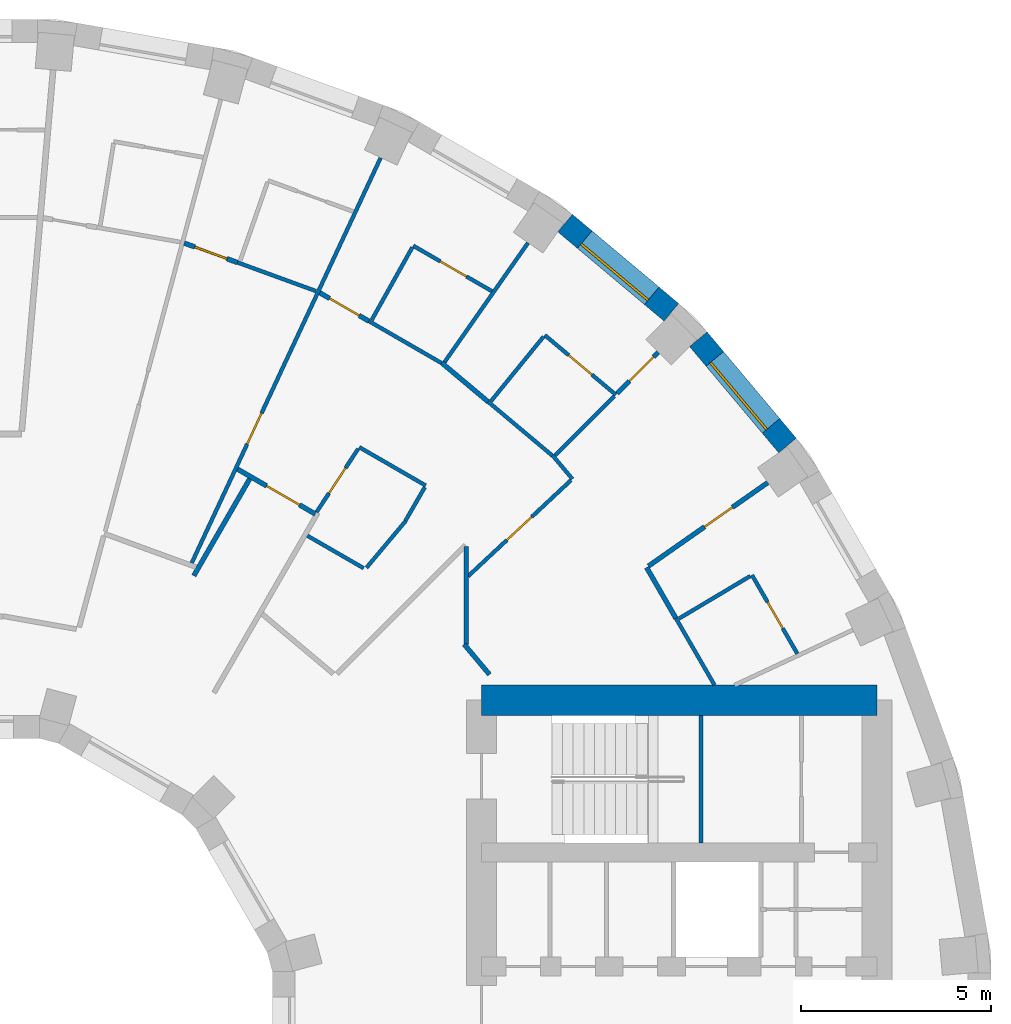
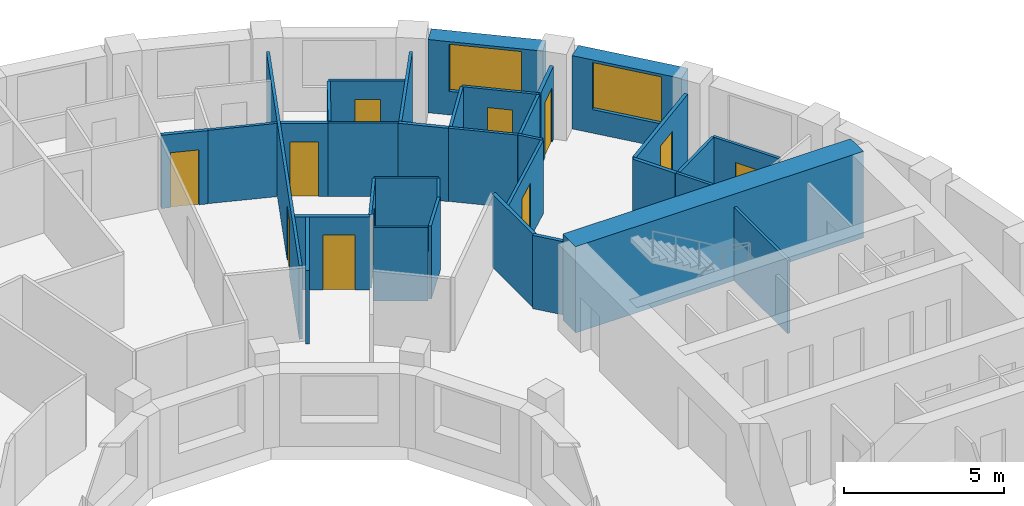
# One storey, part 13 of 16: 34 walls, 11 doors, 2 windows, 13 openings.
"""IFC4 building model written with IfcOpenShell, lengths in metres."""

from ifc_helpers import new_model, si_unit, direction, frame, frame_2d, origin, place, context, subcontext, project, spatial, rectangle, extrude, material, layer, layer_set, type_object, element, fill, save


model = new_model("IFC4")

# Units and contexts
model_context = context("Model", 3, precision=1e-05, world=origin(), true_north=direction((0.0, 1.0)))
body_context = subcontext(model_context, "Body", "Model", "MODEL_VIEW")
ifc_project = project(units=[si_unit("LENGTHUNIT", "METRE"), si_unit("AREAUNIT", "SQUARE_METRE"), si_unit("VOLUMEUNIT", "CUBIC_METRE"), si_unit("PLANEANGLEUNIT", "RADIAN"), si_unit("MASSUNIT", "GRAM", prefix="KILO")], contexts=[model_context])

# Site, building, storey
site_placement = place(None, origin())
site = spatial("IfcSite", under=ifc_project, at=site_placement, CompositionType="ELEMENT")
building_placement = place(site_placement, origin())
building = spatial("IfcBuilding", under=site, at=building_placement, Name="Saqina Gate Tower", CompositionType="ELEMENT")
storey_placement = place(building_placement, frame((0.0, 0.0, 124.89990234375)))
storey = spatial("IfcBuildingStorey", under=building, at=storey_placement, Name="L35", CompositionType="ELEMENT", Elevation=124.89990234375)

# Wall, opening, window
ifc_material_1 = material(Name="Brick masonry (buff)", Category="masonry")
ifc_layer_1 = layer(ifc_material_1, 0.60009765625)
ifc_layer_set_1 = layer_set([ifc_layer_1], Name="FW-BRICK-BUFF")
wall_type_1 = type_object("IfcWallType", Name="FW-BRICK-BUFF", PredefinedType="SOLIDWALL", material=ifc_layer_set_1)
wall_1_placement = place(storey_placement, frame((21.547119140625, 15.69921875, 0.0), z_axis=(0.0, 0.0, 1.0), x_axis=(-0.642774476932, 0.766055462616, 0.0)))
wall_1 = element("IfcWall", 1, at=wall_1_placement, inside=storey, type_object=wall_type_1, Name="Facade wall L35 facet 4", PredefinedType="SOLIDWALL", context=body_context, shape_type="SweptSolid", body=[
    extrude(rectangle(XDim=3.647705078125, YDim=0.60009765625, at=frame_2d((1.82373046875, 0.0))), origin(), (0.0, 0.0, 1.0), 2.800048828125),
])
opening_1_placement = place(wall_1_placement, frame((0.673828125, 0.0, 0.89990234375)))
opening_1 = element("IfcOpeningElement", 2, at=opening_1_placement, cuts=wall_1, Name="Opening G10-W02", PredefinedType="OPENING", context=body_context, shape_type="SweptSolid", body=[
    extrude(rectangle(XDim=2.300048828125, YDim=1.800048828125, at=frame_2d((1.14990234375, 0.89990234375))), frame((0.0, 0.31201171875, 0.0), z_axis=(0.0, -1.0, 0.0), x_axis=(1.0, 0.0, 0.0)), (0.0, 0.0, 1.0), 0.6240234375),
])
ifc_material_2 = material(Name="Aluminium glazing", Category="aluminium")
window_type = type_object("IfcWindowType", Name="WN-B", PartitioningType="SINGLE_PANEL", PredefinedType="WINDOW", material=ifc_material_2)
window_1_placement = place(opening_1_placement, origin())
window_1 = element("IfcWindow", 3, at=window_1_placement, inside=storey, type_object=window_type, Name="Window L35 facet 4", OverallHeight=1.800048828125, OverallWidth=2.300048828125, PartitioningType="SINGLE_PANEL", PredefinedType="WINDOW", context=body_context, shape_type="SweptSolid", body=[
    extrude(rectangle(XDim=2.300048828125, YDim=1.800048828125, at=frame_2d((1.14990234375, 0.89990234375))), frame((0.0, 0.179931640625, 0.0), z_axis=(0.0, -1.0, 0.0), x_axis=(1.0, 0.0, 0.0)), (0.0, 0.0, 1.0), 0.06005859375),
])
fill(opening_1, window_1)

wall_2_placement = place(storey_placement, frame((18.49365234375, 19.202392578125, 0.0), z_axis=(0.0, 0.0, 1.0), x_axis=(-0.766055462616, 0.642774476932, 0.0)))
wall_2 = element("IfcWall", 4, at=wall_2_placement, inside=storey, type_object=wall_type_1, Name="Facade wall L35 facet 5", PredefinedType="SOLIDWALL", context=body_context, shape_type="SweptSolid", body=[
    extrude(rectangle(XDim=3.647705078125, YDim=0.60009765625, at=frame_2d((1.82373046875, 0.0))), origin(), (0.0, 0.0, 1.0), 2.800048828125),
])
opening_2_placement = place(wall_2_placement, frame((0.673828125, 0.0, 0.89990234375)))
opening_2 = element("IfcOpeningElement", 5, at=opening_2_placement, cuts=wall_2, Name="Opening G10-W03", PredefinedType="OPENING", context=body_context, shape_type="SweptSolid", body=[
    extrude(rectangle(XDim=2.300048828125, YDim=1.800048828125, at=frame_2d((1.14990234375, 0.89990234375))), frame((0.0, 0.31201171875, 0.0), z_axis=(0.0, -1.0, 0.0), x_axis=(1.0, 0.0, 0.0)), (0.0, 0.0, 1.0), 0.6240234375),
])
window_2_placement = place(opening_2_placement, origin())
window_2 = element("IfcWindow", 6, at=window_2_placement, inside=storey, type_object=window_type, Name="Window L35 facet 5", OverallHeight=1.800048828125, OverallWidth=2.300048828125, PartitioningType="SINGLE_PANEL", PredefinedType="WINDOW", context=body_context, shape_type="SweptSolid", body=[
    extrude(rectangle(XDim=2.300048828125, YDim=1.800048828125, at=frame_2d((1.14990234375, 0.89990234375))), frame((0.0, 0.179931640625, 0.0), z_axis=(0.0, -1.0, 0.0), x_axis=(1.0, 0.0, 0.0)), (0.0, 0.0, 1.0), 0.06005859375),
])
fill(opening_2, window_2)

# Wall
ifc_material_3 = material(Name="Gypsum board on steel studs, 100 mm", Category="steel")
ifc_layer_2 = layer(ifc_material_3, 0.10009765625)
ifc_layer_set_2 = layer_set([ifc_layer_2], Name="PARTITION 100")
wall_type_2 = type_object("IfcWallType", Name="PARTITION 100", PredefinedType="PARTITIONING", material=ifc_layer_set_2)
wall_3_placement = place(storey_placement, frame((18.612060546875, 11.1572265625, 0.0), z_axis=(0.0, 0.0, 1.0), x_axis=(0.500111227227, -0.865961177191, 0.0)))
element("IfcWall", 7, at=wall_3_placement, inside=storey, type_object=wall_type_2, Name="PARTITION PW3-15", PredefinedType="PARTITIONING", context=body_context, shape_type="SweptSolid", body=[
    extrude(rectangle(XDim=2.029296875, YDim=0.10009765625, at=frame_2d((1.0146484375, 0.0))), origin(), (0.0, 0.0, 1.0), 2.800048828125),
])

# Wall, opening, door
wall_4_placement = place(storey_placement, frame((20.613037109375, 12.2919921875, 0.0), z_axis=(0.0, 0.0, 1.0), x_axis=(0.499855185972, -0.866108996061, 0.0)))
wall_4 = element("IfcWall", 8, at=wall_4_placement, inside=storey, type_object=wall_type_2, Name="PARTITION PW3-16", PredefinedType="PARTITIONING", context=body_context, shape_type="SweptSolid", body=[
    extrude(rectangle(XDim=2.388427734375, YDim=0.10009765625, at=frame_2d((1.1943359375, 0.0))), origin(), (0.0, 0.0, 1.0), 2.800048828125),
])
opening_3_placement = place(wall_4_placement, frame((0.8193359375, 0.0, 0.0)))
opening_3 = element("IfcOpeningElement", 9, at=opening_3_placement, cuts=wall_4, Name="Opening G10-D01", PredefinedType="OPENING", context=body_context, shape_type="SweptSolid", body=[
    extrude(rectangle(XDim=0.800048828125, YDim=2.10009765625, at=frame_2d((0.39990234375, 1.050048828125))), frame((0.0, 0.06201171875, 0.0), z_axis=(0.0, -1.0, 0.0), x_axis=(1.0, 0.0, 0.0)), (0.0, 0.0, 1.0), 0.1240234375),
])
ifc_material_4 = material(Name="Timber door leaf, 800 mm", Category="wood")
door_type_1 = type_object("IfcDoorType", Name="DOOR 800 TIMBER", OperationType="SINGLE_SWING_LEFT", PredefinedType="DOOR", material=ifc_material_4)
door_1_placement = place(opening_3_placement, origin())
door_1 = element("IfcDoor", 10, at=door_1_placement, inside=storey, type_object=door_type_1, Name="DOOR G10-D01", OperationType="SINGLE_SWING_RIGHT", OverallHeight=2.10009765625, OverallWidth=0.800048828125, PredefinedType="DOOR", context=body_context, shape_type="SweptSolid", body=[
    extrude(rectangle(XDim=0.800048828125, YDim=2.10009765625, at=frame_2d((0.39990234375, 1.050048828125))), frame((0.0, 0.02490234375, 0.0), z_axis=(0.0, -1.0, 0.0), x_axis=(1.0, 0.0, 0.0)), (0.0, 0.0, 1.0), 0.050048828125),
])
fill(opening_3, door_1)

# Walls
wall_5_placement = place(storey_placement, frame((15.368408203125, 15.43994140625, 0.0), z_axis=(0.0, 0.0, 1.0), x_axis=(0.643079214365, -0.765799663131, 0.0)))
element("IfcWall", 11, at=wall_5_placement, inside=storey, type_object=wall_type_2, Name="PARTITION PW3-22", PredefinedType="PARTITIONING", context=body_context, shape_type="SweptSolid", body=[
    extrude(rectangle(XDim=0.811767578125, YDim=0.10009765625, at=frame_2d((0.40576171875, 0.0))), origin(), (0.0, 0.0, 1.0), 2.800048828125),
])
wall_6_placement = place(storey_placement, frame((13.673583984375, 16.85009765625, 0.0), z_axis=(0.0, 0.0, 1.0), x_axis=(0.766138779905, -0.642675166725, 0.0)))
element("IfcWall", 12, at=wall_6_placement, inside=storey, type_object=wall_type_2, Name="PARTITION PW3-29", PredefinedType="PARTITIONING", context=body_context, shape_type="SweptSolid", body=[
    extrude(rectangle(XDim=2.204833984375, YDim=0.10009765625, at=frame_2d((1.1025390625, 0.0))), origin(), (0.0, 0.0, 1.0), 2.800048828125),
])

# Wall, opening, door
wall_7_placement = place(storey_placement, frame((15.1650390625, 18.60107421875, 0.0), z_axis=(0.0, 0.0, 1.0), x_axis=(0.765894146118, -0.642966684161, 0.0)))
wall_7 = element("IfcWall", 13, at=wall_7_placement, inside=storey, type_object=wall_type_2, Name="PARTITION PW3-30", PredefinedType="PARTITIONING", context=body_context, shape_type="SweptSolid", body=[
    extrude(rectangle(XDim=2.43896484375, YDim=0.10009765625, at=frame_2d((1.219482421875, 0.0))), origin(), (0.0, 0.0, 1.0), 2.800048828125),
])
opening_4_placement = place(wall_7_placement, frame((0.8193359375, 0.0, 0.0)))
opening_4 = element("IfcOpeningElement", 14, at=opening_4_placement, cuts=wall_7, Name="Opening G10-D05", PredefinedType="OPENING", context=body_context, shape_type="SweptSolid", body=[
    extrude(rectangle(XDim=0.800048828125, YDim=2.10009765625, at=frame_2d((0.39990234375, 1.050048828125))), frame((0.0, 0.06201171875, 0.0), z_axis=(0.0, -1.0, 0.0), x_axis=(1.0, 0.0, 0.0)), (0.0, 0.0, 1.0), 0.1240234375),
])
door_2_placement = place(opening_4_placement, origin())
door_2 = element("IfcDoor", 15, at=door_2_placement, inside=storey, type_object=door_type_1, Name="DOOR G10-D05", OperationType="SINGLE_SWING_LEFT", OverallHeight=2.10009765625, OverallWidth=0.800048828125, PredefinedType="DOOR", context=body_context, shape_type="SweptSolid", body=[
    extrude(rectangle(XDim=0.800048828125, YDim=2.10009765625, at=frame_2d((0.39990234375, 1.050048828125))), frame((0.0, 0.02490234375, 0.0), z_axis=(0.0, -1.0, 0.0), x_axis=(1.0, 0.0, 0.0)), (0.0, 0.0, 1.0), 0.050048828125),
])
fill(opening_4, door_2)

# Walls
wall_8_placement = place(storey_placement, frame((8.921142578125, 13.32666015625, 0.0), z_axis=(0.0, 0.0, 1.0), x_axis=(0.866168931404, -0.499751320429, 0.0)))
element("IfcWall", 16, at=wall_8_placement, inside=storey, type_object=wall_type_2, Name="PARTITION PW3-35", PredefinedType="PARTITIONING", context=body_context, shape_type="SweptSolid", body=[
    extrude(rectangle(XDim=1.708251953125, YDim=0.10009765625, at=frame_2d((0.85400390625, 0.0))), origin(), (0.0, 0.0, 1.0), 2.800048828125),
])
wall_9_placement = place(storey_placement, frame((10.285888671875, 15.655029296875, 0.0), z_axis=(0.0, 0.0, 1.0), x_axis=(0.865980246016, -0.500078207394, 0.0)))
element("IfcWall", 17, at=wall_9_placement, inside=storey, type_object=wall_type_2, Name="PARTITION PW3-36", PredefinedType="PARTITIONING", context=body_context, shape_type="SweptSolid", body=[
    extrude(rectangle(XDim=2.019775390625, YDim=0.10009765625, at=frame_2d((1.009765625, 0.0))), origin(), (0.0, 0.0, 1.0), 2.800048828125),
])
wall_10_placement = place(storey_placement, frame((10.539794921875, 18.968994140625, 0.0), z_axis=(0.0, 0.0, 1.0), x_axis=(0.866006764117, -0.500032283461, 0.0)))
element("IfcWall", 18, at=wall_10_placement, inside=storey, type_object=wall_type_2, Name="PARTITION PW3-37", PredefinedType="PARTITIONING", context=body_context, shape_type="SweptSolid", body=[
    extrude(rectangle(XDim=2.205322265625, YDim=0.10009765625, at=frame_2d((1.1025390625, 0.0))), origin(), (0.0, 0.0, 1.0), 2.800048828125),
])

# Wall, opening, door
wall_11_placement = place(storey_placement, frame((11.705078125, 20.951904296875, 0.0), z_axis=(0.0, 0.0, 1.0), x_axis=(0.865906392454, -0.500206077039, 0.0)))
wall_11 = element("IfcWall", 19, at=wall_11_placement, inside=storey, type_object=wall_type_2, Name="PARTITION PW3-38", PredefinedType="PARTITIONING", context=body_context, shape_type="SweptSolid", body=[
    extrude(rectangle(XDim=2.388671875, YDim=0.10009765625, at=frame_2d((1.1943359375, 0.0))), origin(), (0.0, 0.0, 1.0), 2.800048828125),
])
opening_5_placement = place(wall_11_placement, frame((0.819580078125, 0.0, 0.0)))
opening_5 = element("IfcOpeningElement", 20, at=opening_5_placement, cuts=wall_11, Name="Opening G10-D07", PredefinedType="OPENING", context=body_context, shape_type="SweptSolid", body=[
    extrude(rectangle(XDim=0.800048828125, YDim=2.10009765625, at=frame_2d((0.39990234375, 1.050048828125))), frame((0.0, 0.06201171875, 0.0), z_axis=(0.0, -1.0, 0.0), x_axis=(1.0, 0.0, 0.0)), (0.0, 0.0, 1.0), 0.1240234375),
])
door_3_placement = place(opening_5_placement, origin())
door_3 = element("IfcDoor", 21, at=door_3_placement, inside=storey, type_object=door_type_1, Name="DOOR G10-D07", OperationType="SINGLE_SWING_RIGHT", OverallHeight=2.10009765625, OverallWidth=0.800048828125, PredefinedType="DOOR", context=body_context, shape_type="SweptSolid", body=[
    extrude(rectangle(XDim=0.800048828125, YDim=2.10009765625, at=frame_2d((0.39990234375, 1.050048828125))), frame((0.0, 0.02490234375, 0.0), z_axis=(0.0, -1.0, 0.0), x_axis=(1.0, 0.0, 0.0)), (0.0, 0.0, 1.0), 0.050048828125),
])
fill(opening_5, door_3)

# Walls
wall_12_placement = place(storey_placement, frame((7.0859375, 20.510498046875, 0.0), z_axis=(0.0, 0.0, 1.0), x_axis=(0.939734879809, -0.341904015289, 0.0)))
element("IfcWall", 22, at=wall_12_placement, inside=storey, type_object=wall_type_2, Name="PARTITION PW3-43", PredefinedType="PARTITIONING", context=body_context, shape_type="SweptSolid", body=[
    extrude(rectangle(XDim=2.192138671875, YDim=0.10009765625, at=frame_2d((1.09619140625, 0.0))), origin(), (0.0, 0.0, 1.0), 2.800048828125),
])
wall_13_placement = place(storey_placement, frame((18.690673828125, 11.14599609375, 0.0), z_axis=(0.0, 0.0, 1.0), x_axis=(0.858956412084, 0.512048710711, 0.0)))
element("IfcWall", 23, at=wall_13_placement, inside=storey, type_object=wall_type_2, Name="PARTITION PW3-75", PredefinedType="PARTITIONING", context=body_context, shape_type="SweptSolid", body=[
    extrude(rectangle(XDim=2.18798828125, YDim=0.10009765625, at=frame_2d((1.093994140625, 0.0))), origin(), (0.0, 0.0, 1.0), 2.800048828125),
])

# Wall, opening, door
wall_14_placement = place(storey_placement, frame((13.145751953125, 12.258544921875, 0.0), z_axis=(0.0, 0.0, 1.0), x_axis=(0.731186864942, 0.682177226633, 0.0)))
wall_14 = element("IfcWall", 24, at=wall_14_placement, inside=storey, type_object=wall_type_2, Name="PARTITION PW3-81", PredefinedType="PARTITIONING", context=body_context, shape_type="SweptSolid", body=[
    extrude(rectangle(XDim=3.701171875, YDim=0.10009765625, at=frame_2d((1.8505859375, 0.0))), origin(), (0.0, 0.0, 1.0), 2.800048828125),
])
opening_6_placement = place(wall_14_placement, frame((1.393798828125, 0.0, 0.0)))
opening_6 = element("IfcOpeningElement", 25, at=opening_6_placement, cuts=wall_14, Name="Opening G10-D03", PredefinedType="OPENING", context=body_context, shape_type="SweptSolid", body=[
    extrude(rectangle(XDim=0.89990234375, YDim=2.10009765625, at=frame_2d((0.449951171875, 1.050048828125))), frame((0.0, 0.06201171875, 0.0), z_axis=(0.0, -1.0, 0.0), x_axis=(1.0, 0.0, 0.0)), (0.0, 0.0, 1.0), 0.1240234375),
])
ifc_material_5 = material(Name="Timber door leaf, 900 mm", Category="wood")
door_type_2 = type_object("IfcDoorType", Name="DOOR 900 TIMBER", OperationType="SINGLE_SWING_LEFT", PredefinedType="DOOR", material=ifc_material_5)
door_4_placement = place(opening_6_placement, frame((0.89990234375, 0.0, 0.0), z_axis=(0.0, 0.0, 1.0), x_axis=(-1.0, 0.0, 0.0)))
door_4 = element("IfcDoor", 26, at=door_4_placement, inside=storey, type_object=door_type_2, Name="DOOR G10-D03", OperationType="SINGLE_SWING_RIGHT", OverallHeight=2.10009765625, OverallWidth=0.89990234375, PredefinedType="DOOR", context=body_context, shape_type="SweptSolid", body=[
    extrude(rectangle(XDim=0.89990234375, YDim=2.10009765625, at=frame_2d((0.449951171875, 1.050048828125))), frame((0.0, 0.02490234375, 0.0), z_axis=(0.0, -1.0, 0.0), x_axis=(1.0, 0.0, 0.0)), (0.0, 0.0, 1.0), 0.050048828125),
])
fill(opening_6, door_4)

# Walls
wall_15_placement = place(storey_placement, frame((15.436279296875, 15.436279296875, 0.0), z_axis=(0.0, 0.0, 1.0), x_axis=(0.707106781187, 0.707106781187, 0.0)))
element("IfcWall", 27, at=wall_15_placement, inside=storey, type_object=wall_type_2, Name="PARTITION PW3-83", PredefinedType="PARTITIONING", context=body_context, shape_type="SweptSolid", body=[
    extrude(rectangle(XDim=2.2080078125, YDim=0.10009765625, at=frame_2d((1.10400390625, 0.0))), origin(), (0.0, 0.0, 1.0), 2.800048828125),
])
wall_16_placement = place(storey_placement, frame((10.47509765625, 12.484375, 0.0), z_axis=(0.0, 0.0, 1.0), x_axis=(0.642782067074, 0.766049093889, 0.0)))
element("IfcWall", 28, at=wall_16_placement, inside=storey, type_object=wall_type_2, Name="PARTITION PW3-86", PredefinedType="PARTITIONING", context=body_context, shape_type="SweptSolid", body=[
    extrude(rectangle(XDim=1.606201171875, YDim=0.10009765625, at=frame_2d((0.80322265625, 0.0))), origin(), (0.0, 0.0, 1.0), 2.800048828125),
])
wall_17_placement = place(storey_placement, frame((13.75146484375, 16.866455078125, 0.0), z_axis=(0.0, 0.0, 1.0), x_axis=(0.631692824826, 0.775218791738, 0.0)))
element("IfcWall", 29, at=wall_17_placement, inside=storey, type_object=wall_type_2, Name="PARTITION PW3-88", PredefinedType="PARTITIONING", context=body_context, shape_type="SweptSolid", body=[
    extrude(rectangle(XDim=2.1875, YDim=0.10009765625, at=frame_2d((1.09375, 0.0))), origin(), (0.0, 0.0, 1.0), 2.800048828125),
])
wall_18_placement = place(storey_placement, frame((12.529541015625, 17.8916015625, 0.0), z_axis=(0.0, 0.0, 1.0), x_axis=(0.573235132975, 0.819390921553, 0.0)))
element("IfcWall", 30, at=wall_18_placement, inside=storey, type_object=wall_type_2, Name="PARTITION PW3-89", PredefinedType="PARTITIONING", context=body_context, shape_type="SweptSolid", body=[
    extrude(rectangle(XDim=3.822509765625, YDim=0.10009765625, at=frame_2d((1.9111328125, 0.0))), origin(), (0.0, 0.0, 1.0), 2.800048828125),
])

# Wall, opening, door
wall_19_placement = place(storey_placement, frame((9.16455078125, 13.94970703125, 0.0), z_axis=(0.0, 0.0, 1.0), x_axis=(0.549454342873, 0.835523742989, 0.0)))
wall_19 = element("IfcWall", 31, at=wall_19_placement, inside=storey, type_object=wall_type_2, Name="PARTITION PW3-91", PredefinedType="PARTITIONING", context=body_context, shape_type="SweptSolid", body=[
    extrude(rectangle(XDim=1.990966796875, YDim=0.10009765625, at=frame_2d((0.99560546875, 0.0))), origin(), (0.0, 0.0, 1.0), 2.800048828125),
])
opening_7_placement = place(wall_19_placement, frame((0.589111328125, 0.0, 0.0)))
opening_7 = element("IfcOpeningElement", 32, at=opening_7_placement, cuts=wall_19, Name="Opening G10-D06", PredefinedType="OPENING", context=body_context, shape_type="SweptSolid", body=[
    extrude(rectangle(XDim=0.800048828125, YDim=2.10009765625, at=frame_2d((0.39990234375, 1.050048828125))), frame((0.0, 0.06201171875, 0.0), z_axis=(0.0, -1.0, 0.0), x_axis=(1.0, 0.0, 0.0)), (0.0, 0.0, 1.0), 0.1240234375),
])
door_5_placement = place(opening_7_placement, origin())
door_5 = element("IfcDoor", 33, at=door_5_placement, inside=storey, type_object=door_type_1, Name="DOOR G10-D06", OperationType="SINGLE_SWING_LEFT", OverallHeight=2.10009765625, OverallWidth=0.800048828125, PredefinedType="DOOR", context=body_context, shape_type="SweptSolid", body=[
    extrude(rectangle(XDim=0.800048828125, YDim=2.10009765625, at=frame_2d((0.39990234375, 1.050048828125))), frame((0.0, 0.02490234375, 0.0), z_axis=(0.0, -1.0, 0.0), x_axis=(1.0, 0.0, 0.0)), (0.0, 0.0, 1.0), 0.050048828125),
])
fill(opening_7, door_5)

# Walls
wall_20_placement = place(storey_placement, frame((11.5, 13.71923828125, 0.0), z_axis=(0.0, 0.0, 1.0), x_axis=(0.500337452138, 0.865830488022, 0.0)))
element("IfcWall", 34, at=wall_20_placement, inside=storey, type_object=wall_type_2, Name="PARTITION PW3-92", PredefinedType="PARTITIONING", context=body_context, shape_type="SweptSolid", body=[
    extrude(rectangle(XDim=1.019287109375, YDim=0.10009765625, at=frame_2d((0.509765625, 0.0))), origin(), (0.0, 0.0, 1.0), 2.800048828125),
])
wall_21_placement = place(storey_placement, frame((10.613525390625, 18.998779296875, 0.0), z_axis=(0.0, 0.0, 1.0), x_axis=(0.487811352464, 0.872949073204, 0.0)))
element("IfcWall", 35, at=wall_21_placement, inside=storey, type_object=wall_type_2, Name="PARTITION PW3-95", PredefinedType="PARTITIONING", context=body_context, shape_type="SweptSolid", body=[
    extrude(rectangle(XDim=2.1875, YDim=0.10009765625, at=frame_2d((1.09375, 0.0))), origin(), (0.0, 0.0, 1.0), 2.800048828125),
])

# Wall, opening, door
wall_22_placement = place(storey_placement, frame((5.880859375, 12.610595703125, 0.0), z_axis=(0.0, 0.0, 1.0), x_axis=(0.422604500324, 0.906314203964, 0.0)))
wall_22 = element("IfcWall", 36, at=wall_22_placement, inside=storey, type_object=wall_type_2, Name="PARTITION PW3-98", PredefinedType="PARTITIONING", context=body_context, shape_type="SweptSolid", body=[
    extrude(rectangle(XDim=11.75048828125, YDim=0.10009765625, at=frame_2d((5.875244140625, 0.0))), origin(), (0.0, 0.0, 1.0), 2.800048828125),
])
opening_8_placement = place(wall_22_placement, frame((3.44970703125, 0.0, 0.0)))
opening_8 = element("IfcOpeningElement", 37, at=opening_8_placement, cuts=wall_22, Name="Opening G10-D10", PredefinedType="OPENING", context=body_context, shape_type="SweptSolid", body=[
    extrude(rectangle(XDim=0.89990234375, YDim=2.10009765625, at=frame_2d((0.449951171875, 1.050048828125))), frame((0.0, 0.06201171875, 0.0), z_axis=(0.0, -1.0, 0.0), x_axis=(1.0, 0.0, 0.0)), (0.0, 0.0, 1.0), 0.1240234375),
])
door_6_placement = place(opening_8_placement, frame((0.89990234375, 0.0, 0.0), z_axis=(0.0, 0.0, 1.0), x_axis=(-1.0, 0.0, 0.0)))
door_6 = element("IfcDoor", 38, at=door_6_placement, inside=storey, type_object=door_type_2, Name="DOOR G10-D10", OperationType="SINGLE_SWING_RIGHT", OverallHeight=2.10009765625, OverallWidth=0.89990234375, PredefinedType="DOOR", context=body_context, shape_type="SweptSolid", body=[
    extrude(rectangle(XDim=0.89990234375, YDim=2.10009765625, at=frame_2d((0.449951171875, 1.050048828125))), frame((0.0, 0.02490234375, 0.0), z_axis=(0.0, -1.0, 0.0), x_axis=(1.0, 0.0, 0.0)), (0.0, 0.0, 1.0), 0.050048828125),
])
fill(opening_8, door_6)

# Walls
ifc_material_6 = material(Name="Gypsum board on steel studs, 125 mm, fire rated", Category="steel")
ifc_layer_3 = layer(ifc_material_6, 0.125)
ifc_layer_set_3 = layer_set([ifc_layer_3], Name="PARTITION EI 30 125")
wall_type_3 = type_object("IfcWallType", Name="PARTITION EI 30 125", PredefinedType="PARTITIONING", material=ifc_layer_set_3)
wall_23_placement = place(storey_placement, frame((17.842041015625, 12.4912109375, 0.0), z_axis=(0.0, 0.0, 1.0), x_axis=(0.499923693419, -0.866069454927, 0.0)))
element("IfcWall", 39, at=wall_23_placement, inside=storey, type_object=wall_type_3, Name="PARTITION PW1-04", PredefinedType="PARTITIONING", context=body_context, shape_type="SweptSolid", body=[
    extrude(rectangle(XDim=1.540283203125, YDim=0.125, at=frame_2d((0.77001953125, 0.0))), origin(), (0.0, 0.0, 1.0), 2.800048828125),
])
wall_24_placement = place(storey_placement, frame((13.045166015625, 10.470458984375, 0.0), z_axis=(0.0, 0.0, 1.0), x_axis=(0.642683640722, -0.766131671417, 0.0)))
element("IfcWall", 40, at=wall_24_placement, inside=storey, type_object=wall_type_3, Name="PARTITION PW1-08", PredefinedType="PARTITIONING", context=body_context, shape_type="SweptSolid", body=[
    extrude(rectangle(XDim=1.036376953125, YDim=0.125, at=frame_2d((0.51806640625, 0.0))), origin(), (0.0, 0.0, 1.0), 2.800048828125),
])
wall_25_placement = place(storey_placement, frame((12.4541015625, 17.87353515625, 0.0), z_axis=(0.0, 0.0, 1.0), x_axis=(0.765991783553, -0.642850361693, 0.0)))
element("IfcWall", 41, at=wall_25_placement, inside=storey, type_object=wall_type_3, Name="PARTITION PW1-13", PredefinedType="PARTITIONING", context=body_context, shape_type="SweptSolid", body=[
    extrude(rectangle(XDim=1.592041015625, YDim=0.125, at=frame_2d((0.7958984375, 0.0))), origin(), (0.0, 0.0, 1.0), 2.800048828125),
])

# Wall, opening, door
wall_26_placement = place(storey_placement, frame((7.0859375, 15.076904296875, 0.0), z_axis=(0.0, 0.0, 1.0), x_axis=(0.866192474201, -0.499710513836, 0.0)))
wall_26 = element("IfcWall", 42, at=wall_26_placement, inside=storey, type_object=wall_type_3, Name="PARTITION PW1-17", PredefinedType="PARTITIONING", context=body_context, shape_type="SweptSolid", body=[
    extrude(rectangle(XDim=2.3603515625, YDim=0.125, at=frame_2d((1.18017578125, 0.0))), origin(), (0.0, 0.0, 1.0), 2.800048828125),
])
opening_9_placement = place(wall_26_placement, frame((0.881103515625, 0.0, 0.0)))
opening_9 = element("IfcOpeningElement", 43, at=opening_9_placement, cuts=wall_26, Name="Opening G10-D08", PredefinedType="OPENING", context=body_context, shape_type="SweptSolid", body=[
    extrude(rectangle(XDim=1.0, YDim=2.10009765625, at=frame_2d((0.5, 1.050048828125))), frame((0.0, 0.074462890625, 0.0), z_axis=(0.0, -1.0, 0.0), x_axis=(1.0, 0.0, 0.0)), (0.0, 0.0, 1.0), 0.14892578125),
])
ifc_material_7 = material(Name="Fire door leaf EI 30, 1000 mm")
door_type_3 = type_object("IfcDoorType", Name="DOOR 1000 EI 30", OperationType="SINGLE_SWING_LEFT", PredefinedType="DOOR", material=ifc_material_7)
door_7_placement = place(opening_9_placement, frame((1.0, 0.0, 0.0), z_axis=(0.0, 0.0, 1.0), x_axis=(-1.0, 0.0, 0.0)))
door_7 = element("IfcDoor", 44, at=door_7_placement, inside=storey, type_object=door_type_3, Name="DOOR G10-D08", OperationType="SINGLE_SWING_LEFT", OverallHeight=2.10009765625, OverallWidth=1.0, PredefinedType="DOOR", context=body_context, shape_type="SweptSolid", body=[
    extrude(rectangle(XDim=1.0, YDim=2.10009765625, at=frame_2d((0.5, 1.050048828125))), frame((0.0, 0.02490234375, 0.0), z_axis=(0.0, -1.0, 0.0), x_axis=(1.0, 0.0, 0.0)), (0.0, 0.0, 1.0), 0.050048828125),
])
fill(opening_9, door_7)

wall_27_placement = place(storey_placement, frame((9.248291015625, 19.715087890625, 0.0), z_axis=(0.0, 0.0, 1.0), x_axis=(0.865896584481, -0.500223055231, 0.0)))
wall_27 = element("IfcWall", 45, at=wall_27_placement, inside=storey, type_object=wall_type_3, Name="PARTITION PW1-18", PredefinedType="PARTITIONING", context=body_context, shape_type="SweptSolid", body=[
    extrude(rectangle(XDim=1.491455078125, YDim=0.125, at=frame_2d((0.74560546875, 0.0))), origin(), (0.0, 0.0, 1.0), 2.800048828125),
])
opening_10_placement = place(wall_27_placement, frame((0.295654296875, 0.0, 0.0)))
opening_10 = element("IfcOpeningElement", 46, at=opening_10_placement, cuts=wall_27, Name="Opening G10-D09", PredefinedType="OPENING", context=body_context, shape_type="SweptSolid", body=[
    extrude(rectangle(XDim=0.89990234375, YDim=2.10009765625, at=frame_2d((0.449951171875, 1.050048828125))), frame((0.0, 0.074462890625, 0.0), z_axis=(0.0, -1.0, 0.0), x_axis=(1.0, 0.0, 0.0)), (0.0, 0.0, 1.0), 0.14892578125),
])
ifc_material_8 = material(Name="Fire door leaf EI 30, 900 mm")
door_type_4 = type_object("IfcDoorType", Name="DOOR 900 EI 30", OperationType="SINGLE_SWING_LEFT", PredefinedType="DOOR", material=ifc_material_8)
door_8_placement = place(opening_10_placement, frame((0.89990234375, 0.0, 0.0), z_axis=(0.0, 0.0, 1.0), x_axis=(-1.0, 0.0, 0.0)))
door_8 = element("IfcDoor", 47, at=door_8_placement, inside=storey, type_object=door_type_4, Name="DOOR G10-D09", OperationType="SINGLE_SWING_RIGHT", OverallHeight=2.10009765625, OverallWidth=0.89990234375, PredefinedType="DOOR", context=body_context, shape_type="SweptSolid", body=[
    extrude(rectangle(XDim=0.89990234375, YDim=2.10009765625, at=frame_2d((0.449951171875, 1.050048828125))), frame((0.0, 0.02490234375, 0.0), z_axis=(0.0, -1.0, 0.0), x_axis=(1.0, 0.0, 0.0)), (0.0, 0.0, 1.0), 0.050048828125),
])
fill(opening_10, door_8)

wall_28_placement = place(storey_placement, frame((5.68408203125, 21.020751953125, 0.0), z_axis=(0.0, 0.0, 1.0), x_axis=(0.939314629693, -0.343056885143, 0.0)))
wall_28 = element("IfcWall", 48, at=wall_28_placement, inside=storey, type_object=wall_type_3, Name="PARTITION PW1-19", PredefinedType="PARTITIONING", context=body_context, shape_type="SweptSolid", body=[
    extrude(rectangle(XDim=1.49169921875, YDim=0.125, at=frame_2d((0.745849609375, 0.0))), origin(), (0.0, 0.0, 1.0), 2.800048828125),
])
opening_11_placement = place(wall_28_placement, frame((0.2958984375, 0.0, 0.0)))
opening_11 = element("IfcOpeningElement", 49, at=opening_11_placement, cuts=wall_28, Name="Opening G10-D12", PredefinedType="OPENING", context=body_context, shape_type="SweptSolid", body=[
    extrude(rectangle(XDim=0.89990234375, YDim=2.10009765625, at=frame_2d((0.449951171875, 1.050048828125))), frame((0.0, 0.074462890625, 0.0), z_axis=(0.0, -1.0, 0.0), x_axis=(1.0, 0.0, 0.0)), (0.0, 0.0, 1.0), 0.14892578125),
])
door_9_placement = place(opening_11_placement, frame((0.89990234375, 0.0, 0.0), z_axis=(0.0, 0.0, 1.0), x_axis=(-1.0, 0.0, 0.0)))
door_9 = element("IfcDoor", 50, at=door_9_placement, inside=storey, type_object=door_type_4, Name="DOOR G10-D12", OperationType="SINGLE_SWING_RIGHT", OverallHeight=2.10009765625, OverallWidth=0.89990234375, PredefinedType="DOOR", context=body_context, shape_type="SweptSolid", body=[
    extrude(rectangle(XDim=0.89990234375, YDim=2.10009765625, at=frame_2d((0.449951171875, 1.050048828125))), frame((0.0, 0.02490234375, 0.0), z_axis=(0.0, -1.0, 0.0), x_axis=(1.0, 0.0, 0.0)), (0.0, 0.0, 1.0), 0.050048828125),
])
fill(opening_11, door_9)

wall_29_placement = place(storey_placement, frame((17.89208984375, 12.52880859375, 0.0), z_axis=(0.0, 0.0, 1.0), x_axis=(0.819258924995, 0.573423764607, 0.0)))
wall_29 = element("IfcWall", 51, at=wall_29_placement, inside=storey, type_object=wall_type_3, Name="PARTITION PW1-43", PredefinedType="PARTITIONING", context=body_context, shape_type="SweptSolid", body=[
    extrude(rectangle(XDim=3.822509765625, YDim=0.125, at=frame_2d((1.9111328125, 0.0))), origin(), (0.0, 0.0, 1.0), 2.800048828125),
])
opening_12_placement = place(wall_29_placement, frame((1.796142578125, 0.0, 0.0)))
opening_12 = element("IfcOpeningElement", 52, at=opening_12_placement, cuts=wall_29, Name="Opening G10-D02", PredefinedType="OPENING", context=body_context, shape_type="SweptSolid", body=[
    extrude(rectangle(XDim=0.89990234375, YDim=2.10009765625, at=frame_2d((0.449951171875, 1.050048828125))), frame((0.0, 0.074462890625, 0.0), z_axis=(0.0, -1.0, 0.0), x_axis=(1.0, 0.0, 0.0)), (0.0, 0.0, 1.0), 0.14892578125),
])
door_10_placement = place(opening_12_placement, origin())
door_10 = element("IfcDoor", 53, at=door_10_placement, inside=storey, type_object=door_type_4, Name="DOOR G10-D02", OperationType="SINGLE_SWING_RIGHT", OverallHeight=2.10009765625, OverallWidth=0.89990234375, PredefinedType="DOOR", context=body_context, shape_type="SweptSolid", body=[
    extrude(rectangle(XDim=0.89990234375, YDim=2.10009765625, at=frame_2d((0.449951171875, 1.050048828125))), frame((0.0, 0.02490234375, 0.0), z_axis=(0.0, -1.0, 0.0), x_axis=(1.0, 0.0, 0.0)), (0.0, 0.0, 1.0), 0.050048828125),
])
fill(opening_12, door_10)

wall_30_placement = place(storey_placement, frame((17.068359375, 17.068359375, 0.0), z_axis=(0.0, 0.0, 1.0), x_axis=(0.707106781187, 0.707106781187, 0.0)))
wall_30 = element("IfcWall", 54, at=wall_30_placement, inside=storey, type_object=wall_type_3, Name="PARTITION PW1-49", PredefinedType="PARTITIONING", context=body_context, shape_type="SweptSolid", body=[
    extrude(rectangle(XDim=1.52685546875, YDim=0.125, at=frame_2d((0.763427734375, 0.0))), origin(), (0.0, 0.0, 1.0), 2.800048828125),
])
opening_13_placement = place(wall_30_placement, frame((0.45458984375, 0.0, 0.0)))
opening_13 = element("IfcOpeningElement", 55, at=opening_13_placement, cuts=wall_30, Name="Opening G10-D04", PredefinedType="OPENING", context=body_context, shape_type="SweptSolid", body=[
    extrude(rectangle(XDim=0.89990234375, YDim=2.10009765625, at=frame_2d((0.449951171875, 1.050048828125))), frame((0.0, 0.074462890625, 0.0), z_axis=(0.0, -1.0, 0.0), x_axis=(1.0, 0.0, 0.0)), (0.0, 0.0, 1.0), 0.14892578125),
])
door_11_placement = place(opening_13_placement, frame((0.89990234375, 0.0, 0.0), z_axis=(0.0, 0.0, 1.0), x_axis=(-1.0, 0.0, 0.0)))
door_11 = element("IfcDoor", 56, at=door_11_placement, inside=storey, type_object=door_type_4, Name="DOOR G10-D04", OperationType="SINGLE_SWING_LEFT", OverallHeight=2.10009765625, OverallWidth=0.89990234375, PredefinedType="DOOR", context=body_context, shape_type="SweptSolid", body=[
    extrude(rectangle(XDim=0.89990234375, YDim=2.10009765625, at=frame_2d((0.449951171875, 1.050048828125))), frame((0.0, 0.02490234375, 0.0), z_axis=(0.0, -1.0, 0.0), x_axis=(1.0, 0.0, 0.0)), (0.0, 0.0, 1.0), 0.050048828125),
])
fill(opening_13, door_11)

# Walls
wall_31_placement = place(storey_placement, frame((5.935791015625, 12.274658203125, 0.0), z_axis=(0.0, 0.0, 1.0), x_axis=(0.499715257766, 0.866189737388, 0.0)))
element("IfcWall", 57, at=wall_31_placement, inside=storey, type_object=wall_type_3, Name="PARTITION PW1-54", PredefinedType="PARTITIONING", context=body_context, shape_type="SweptSolid", body=[
    extrude(rectangle(XDim=2.937255859375, YDim=0.125, at=frame_2d((1.46875, 0.0))), origin(), (0.0, 0.0, 1.0), 2.800048828125),
])
wall_32_placement = place(storey_placement, frame((13.10009765625, 10.470458984375, 0.0), z_axis=(0.0, 0.0, 1.0), x_axis=(0.0, 1.0, 0.0)))
element("IfcWall", 58, at=wall_32_placement, inside=storey, type_object=wall_type_3, Name="PARTITION PW1-59", PredefinedType="PARTITIONING", context=body_context, shape_type="SweptSolid", body=[
    extrude(rectangle(XDim=2.566162109375, YDim=0.125, at=frame_2d((1.283203125, 0.0))), origin(), (0.0, 0.0, 1.0), 2.800048828125),
])
ifc_material_9 = material(Name="Autoclaved aerated concrete block", Category="concrete")
ifc_layer_4 = layer(ifc_material_9, 0.10009765625)
ifc_layer_set_4 = layer_set([ifc_layer_4], Name="STAIR ENCLOSURE WALL")
wall_type_4 = type_object("IfcWallType", Name="STAIR ENCLOSURE WALL", PredefinedType="PARTITIONING", material=ifc_layer_set_4)
wall_33_placement = place(storey_placement, frame((19.27001953125, 5.25, 0.0), z_axis=(0.0, 0.0, 1.0), x_axis=(0.0, 1.0, 0.0)))
element("IfcWall", 59, at=wall_33_placement, inside=storey, type_object=wall_type_4, Name="L35-CP-E13", PredefinedType="PARTITIONING", context=body_context, shape_type="SweptSolid", body=[
    extrude(rectangle(XDim=3.35009765625, YDim=0.10009765625, at=frame_2d((1.675048828125, 0.0))), origin(), (0.0, 0.0, 1.0), 2.800048828125),
])
ifc_material_10 = material(Name="Concrete C70/85", Category="concrete")
ifc_layer_5 = layer(ifc_material_10, 0.800048828125)
ifc_layer_set_5 = layer_set([ifc_layer_5], Name="Concrete C70/85")
wall_type_5 = type_object("IfcWallType", Name="STR-CORE WALL-B-O", PredefinedType="SHEAR", material=ifc_layer_set_5)
wall_34_placement = place(storey_placement, frame((13.5, 9.0, 0.0), z_axis=(0.0, 0.0, 1.0), x_axis=(1.0, 0.0, 0.0)))
element("IfcWall", 60, at=wall_34_placement, inside=storey, type_object=wall_type_5, Name="CORE WALL L35 E-NE", PredefinedType="SHEAR", context=body_context, shape_type="SweptSolid", body=[
    extrude(rectangle(XDim=10.39990234375, YDim=0.800048828125, at=frame_2d((5.199951171875, 0.0))), origin(), (0.0, 0.0, 1.0), 3.300048828125),
])

save(model, "model.ifc")
